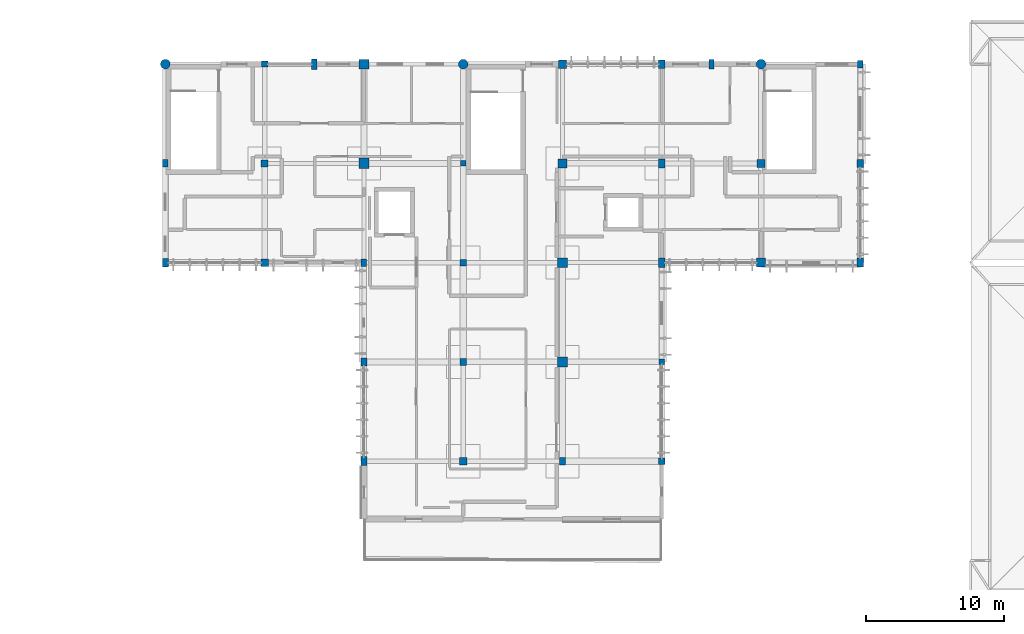
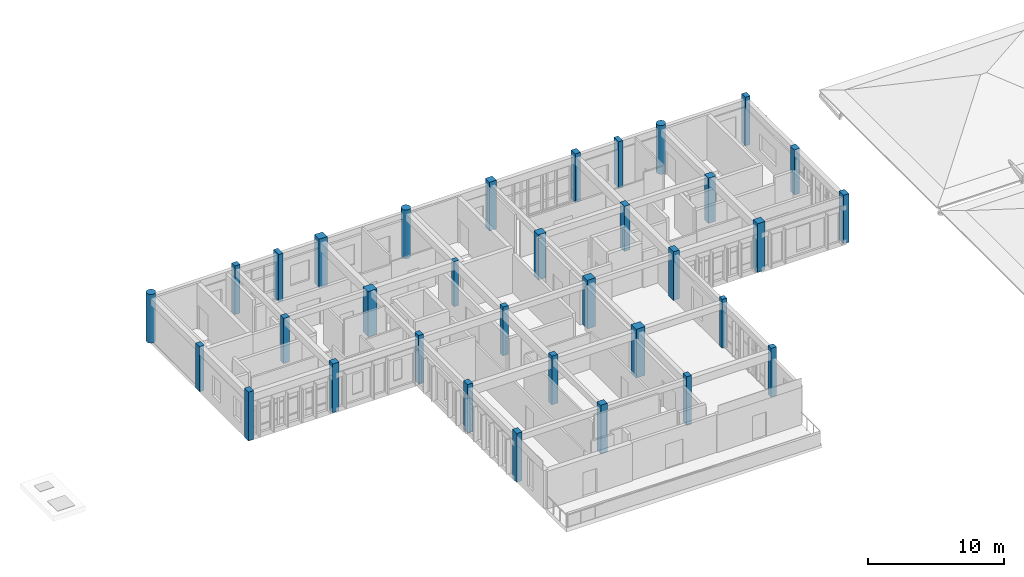
# One storey, part 1 of 19: 34 columns.
"""IFC4 building model written with IfcOpenShell, lengths in metres."""

from ifc_helpers import new_model, si_unit, direction, frame, origin, origin_2d, place, context, subcontext, project, spatial, rectangle, circle, extrude, material, material_profile, profile_set, type_object, element, save


model = new_model("IFC4")

# Units and contexts
model_context = context("Model", 3, precision=1e-05, world=origin(), true_north=direction((0.0, 1.0)))
body_context = subcontext(model_context, "Body", "Model", "MODEL_VIEW")
ifc_project = project(units=[si_unit("LENGTHUNIT", "METRE"), si_unit("AREAUNIT", "SQUARE_METRE"), si_unit("VOLUMEUNIT", "CUBIC_METRE"), si_unit("PLANEANGLEUNIT", "RADIAN"), si_unit("MASSUNIT", "GRAM", prefix="KILO")], contexts=[model_context])

# Site, building, storey
site_placement = place(None, origin())
site = spatial("IfcSite", under=ifc_project, at=site_placement, CompositionType="ELEMENT")
building_placement = place(site_placement, origin())
building = spatial("IfcBuilding", under=site, at=building_placement, Name="Steenspoor Specialist Clinic", CompositionType="ELEMENT")
storey_placement = place(building_placement, frame((0.0, 0.0, 21.60009765625)))
storey = spatial("IfcBuildingStorey", under=building, at=storey_placement, Name="L05", CompositionType="ELEMENT", Elevation=21.60009765625)

# Columns
ifc_material = material(Name="Concrete C40/50", Category="concrete")
ifc_material_profile_1 = material_profile(ifc_material, rectangle(XDim=0.39990234375, YDim=0.39990234375, at=origin_2d()), Name="RC-COL-400X400")
ifc_profile_set_1 = profile_set([ifc_material_profile_1], Name="Concrete C40/50")
column_type_1 = type_object("IfcColumnType", Name="COL-RC-400", PredefinedType="COLUMN", material=ifc_profile_set_1)
column_1_placement = place(storey_placement, frame((81.199951171875, 101.14990234375, 0.0), z_axis=(0.0, 0.0, 1.0), x_axis=(1.0, 0.0, 0.0)))
element("IfcColumn", 1, at=column_1_placement, inside=storey, type_object=column_type_1, Name="Column COL-L05-0336", PredefinedType="COLUMN", context=body_context, shape_type="SweptSolid", body=[
    extrude(rectangle(XDim=0.39990234375, YDim=0.39990234375, at=origin_2d()), origin(), (0.0, 0.0, 1.0), 4.0498046875),
])
column_2_placement = place(storey_placement, frame((95.60009765625, 86.75, 0.0), z_axis=(0.0, 0.0, 1.0), x_axis=(1.0, 0.0, 0.0)))
element("IfcColumn", 2, at=column_2_placement, inside=storey, type_object=column_type_1, Name="Column COL-L05-0398", PredefinedType="COLUMN", context=body_context, shape_type="SweptSolid", body=[
    extrude(rectangle(XDim=0.39990234375, YDim=0.39990234375, at=origin_2d()), origin(), (0.0, 0.0, 1.0), 4.35986328125),
])
ifc_material_profile_2 = material_profile(ifc_material, rectangle(XDim=0.39990234375, YDim=0.550048828125, at=origin_2d()), Name="RC-COL-400X550")
ifc_profile_set_2 = profile_set([ifc_material_profile_2], Name="Concrete C40/50")
column_type_2 = type_object("IfcColumnType", Name="COL-RC-400X550", PredefinedType="COLUMN", material=ifc_profile_set_2)
column_3_placement = place(storey_placement, frame((59.60009765625, 101.14990234375, 0.0), z_axis=(0.0, 0.0, 1.0), x_axis=(1.0, 0.0, 0.0)))
element("IfcColumn", 3, at=column_3_placement, inside=storey, type_object=column_type_2, Name="Column COL-L05-0233", PredefinedType="COLUMN", context=body_context, shape_type="SweptSolid", body=[
    extrude(rectangle(XDim=0.39990234375, YDim=0.550048828125, at=origin_2d()), origin(), (0.0, 0.0, 1.0), 4.0498046875),
])
for number, where, z_axis, x_axis, name in (
    (4, (74.0, 93.949951171875, 0.0), (0.0, 0.0, 1.0), (1.0, 0.0, 0.0), "Column COL-L05-0293"),
    (5, (88.39990234375, 79.550048828125, 0.0), (0.0, 0.0, 1.0), (1.0, 0.0, 0.0), "Column COL-L05-0355"),
    (6, (110.0, 108.35009765625, 0.0), (0.0, 0.0, 1.0), (1.0, 0.0, 0.0), "Column COL-L05-0478"),
):
    element("IfcColumn", number, at=place(storey_placement, frame(where, z_axis=z_axis, x_axis=x_axis)), inside=storey, type_object=column_type_2, Name=name, PredefinedType="COLUMN", context=body_context, shape_type="SweptSolid", body=[
        extrude(rectangle(XDim=0.39990234375, YDim=0.550048828125, at=origin_2d()), origin(), (0.0, 0.0, 1.0), 4.35986328125),
    ])
ifc_material_profile_3 = material_profile(ifc_material, rectangle(XDim=0.449951171875, YDim=0.449951171875, at=origin_2d()), Name="RC-COL-450X450")
ifc_profile_set_3 = profile_set([ifc_material_profile_3], Name="Concrete C40/50")
column_type_3 = type_object("IfcColumnType", Name="COL-RC-450", PredefinedType="COLUMN", material=ifc_profile_set_3)
for number, where, z_axis, x_axis, name in (
    (7, (66.800048828125, 108.35009765625, 0.0), (0.0, 0.0, 1.0), (1.0, 0.0, 0.0), "Column COL-L05-0268"),
    (8, (81.199951171875, 93.949951171875, 0.0), (0.0, 0.0, 1.0), (1.0, 0.0, 0.0), "Column COL-L05-0330"),
    (9, (95.60009765625, 79.550048828125, 0.0), (0.0, 0.0, 1.0), (1.0, 0.0, 0.0), "Column COL-L05-0392"),
):
    element("IfcColumn", number, at=place(storey_placement, frame(where, z_axis=z_axis, x_axis=x_axis)), inside=storey, type_object=column_type_3, Name=name, PredefinedType="COLUMN", context=body_context, shape_type="SweptSolid", body=[
        extrude(rectangle(XDim=0.449951171875, YDim=0.449951171875, at=origin_2d()), origin(), (0.0, 0.0, 1.0), 4.35986328125),
    ])
ifc_material_profile_4 = material_profile(ifc_material, rectangle(XDim=0.449951171875, YDim=0.60009765625, at=origin_2d()), Name="RC-COL-450X600")
ifc_profile_set_4 = profile_set([ifc_material_profile_4], Name="Concrete C40/50")
column_type_4 = type_object("IfcColumnType", Name="COL-RC-450X600", PredefinedType="COLUMN", material=ifc_profile_set_4)
for number, where, z_axis, x_axis, name in (
    (10, (59.60009765625, 93.949951171875, 0.0), (0.0, 0.0, 1.0), (1.0, 0.0, 0.0), "Column COL-L05-0227"),
    (11, (74.0, 86.75, 0.0), (0.0, 0.0, 1.0), (1.0, 0.0, 0.0), "Column COL-L05-0287"),
    (12, (95.60009765625, 108.35009765625, 0.0), (0.0, 0.0, 1.0), (1.0, 0.0, 0.0), "Column COL-L05-0416"),
):
    element("IfcColumn", number, at=place(storey_placement, frame(where, z_axis=z_axis, x_axis=x_axis)), inside=storey, type_object=column_type_4, Name=name, PredefinedType="COLUMN", context=body_context, shape_type="SweptSolid", body=[
        extrude(rectangle(XDim=0.449951171875, YDim=0.60009765625, at=origin_2d()), origin(), (0.0, 0.0, 1.0), 4.35986328125),
    ])
column_4_placement = place(storey_placement, frame((110.0, 101.14990234375, 0.0), z_axis=(0.0, 0.0, 1.0), x_axis=(1.0, 0.0, 0.0)))
element("IfcColumn", 13, at=column_4_placement, inside=storey, type_object=column_type_4, Name="Column COL-L05-0472", PredefinedType="COLUMN", context=body_context, shape_type="SweptSolid", body=[
    extrude(rectangle(XDim=0.449951171875, YDim=0.60009765625, at=origin_2d()), origin(), (0.0, 0.0, 1.0), 4.0498046875),
])
ifc_material_profile_5 = material_profile(ifc_material, rectangle(XDim=0.449951171875, YDim=0.64990234375, at=origin_2d()), Name="RC-COL-450X650")
ifc_profile_set_5 = profile_set([ifc_material_profile_5], Name="Concrete C40/50")
column_type_5 = type_object("IfcColumnType", Name="COL-RC-450X650", PredefinedType="COLUMN", material=ifc_profile_set_5)
column_5_placement = place(storey_placement, frame((74.0, 79.550048828125, 0.0), z_axis=(0.0, 0.0, 1.0), x_axis=(1.0, 0.0, 0.0)))
element("IfcColumn", 14, at=column_5_placement, inside=storey, type_object=column_type_5, Name="Column COL-L05-0281", PredefinedType="COLUMN", context=body_context, shape_type="SweptSolid", body=[
    extrude(rectangle(XDim=0.449951171875, YDim=0.64990234375, at=origin_2d()), origin(), (0.0, 0.0, 1.0), 4.35986328125),
])
column_6_placement = place(storey_placement, frame((95.60009765625, 101.14990234375, 0.0), z_axis=(0.0, 0.0, 1.0), x_axis=(1.0, 0.0, 0.0)))
element("IfcColumn", 15, at=column_6_placement, inside=storey, type_object=column_type_5, Name="Column COL-L05-0410", PredefinedType="COLUMN", context=body_context, shape_type="SweptSolid", body=[
    extrude(rectangle(XDim=0.449951171875, YDim=0.64990234375, at=origin_2d()), origin(), (0.0, 0.0, 1.0), 4.0498046875),
])
column_7_placement = place(storey_placement, frame((110.0, 93.949951171875, 0.0), z_axis=(0.0, 0.0, 1.0), x_axis=(1.0, 0.0, 0.0)))
element("IfcColumn", 16, at=column_7_placement, inside=storey, type_object=column_type_5, Name="Column COL-L05-0466", PredefinedType="COLUMN", context=body_context, shape_type="SweptSolid", body=[
    extrude(rectangle(XDim=0.449951171875, YDim=0.64990234375, at=origin_2d()), origin(), (0.0, 0.0, 1.0), 4.35986328125),
])
ifc_material_profile_6 = material_profile(ifc_material, rectangle(XDim=0.5, YDim=0.5, at=origin_2d()), Name="RC-COL-500X500")
ifc_profile_set_6 = profile_set([ifc_material_profile_6], Name="Concrete C40/50")
column_type_6 = type_object("IfcColumnType", Name="COL-RC-500", PredefinedType="COLUMN", material=ifc_profile_set_6)
column_8_placement = place(storey_placement, frame((66.800048828125, 101.14990234375, 0.0), z_axis=(0.0, 0.0, 1.0), x_axis=(1.0, 0.0, 0.0)))
element("IfcColumn", 17, at=column_8_placement, inside=storey, type_object=column_type_6, Name="Column COL-L05-0262", PredefinedType="COLUMN", context=body_context, shape_type="SweptSolid", body=[
    extrude(rectangle(XDim=0.5, YDim=0.5, at=origin_2d()), origin(), (0.0, 0.0, 1.0), 4.0498046875),
])
column_9_placement = place(storey_placement, frame((81.199951171875, 86.75, 0.0), z_axis=(0.0, 0.0, 1.0), x_axis=(1.0, 0.0, 0.0)))
element("IfcColumn", 18, at=column_9_placement, inside=storey, type_object=column_type_6, Name="Column COL-L05-0324", PredefinedType="COLUMN", context=body_context, shape_type="SweptSolid", body=[
    extrude(rectangle(XDim=0.5, YDim=0.5, at=origin_2d()), origin(), (0.0, 0.0, 1.0), 4.35986328125),
])
ifc_material_profile_7 = material_profile(ifc_material, rectangle(XDim=0.5, YDim=0.699951171875, at=origin_2d()), Name="RC-COL-500X700")
ifc_profile_set_7 = profile_set([ifc_material_profile_7], Name="Concrete C40/50")
column_type_7 = type_object("IfcColumnType", Name="COL-RC-500X700", PredefinedType="COLUMN", material=ifc_profile_set_7)
column_10_placement = place(storey_placement, frame((95.60009765625, 93.949951171875, 0.0), z_axis=(0.0, 0.0, 1.0), x_axis=(1.0, 0.0, 0.0)))
element("IfcColumn", 19, at=column_10_placement, inside=storey, type_object=column_type_7, Name="Column COL-L05-0404", PredefinedType="COLUMN", context=body_context, shape_type="SweptSolid", body=[
    extrude(rectangle(XDim=0.5, YDim=0.699951171875, at=origin_2d()), origin(), (0.0, 0.0, 1.0), 4.35986328125),
])
ifc_material_profile_8 = material_profile(ifc_material, rectangle(XDim=0.550048828125, YDim=0.550048828125, at=origin_2d()), Name="RC-COL-550X550")
ifc_profile_set_8 = profile_set([ifc_material_profile_8], Name="Concrete C40/50")
column_type_8 = type_object("IfcColumnType", Name="COL-RC-550", PredefinedType="COLUMN", material=ifc_profile_set_8)
for number, where, z_axis, x_axis, name in (
    (20, (66.800048828125, 93.949951171875, 0.0), (0.0, 0.0, 1.0), (1.0, 0.0, 0.0), "Column COL-L05-0256"),
    (21, (81.199951171875, 79.550048828125, 0.0), (0.0, 0.0, 1.0), (1.0, 0.0, 0.0), "Column COL-L05-0318"),
):
    element("IfcColumn", number, at=place(storey_placement, frame(where, z_axis=z_axis, x_axis=x_axis)), inside=storey, type_object=column_type_8, Name=name, PredefinedType="COLUMN", context=body_context, shape_type="SweptSolid", body=[
        extrude(rectangle(XDim=0.550048828125, YDim=0.550048828125, at=origin_2d()), origin(), (0.0, 0.0, 1.0), 4.35986328125),
    ])
ifc_material_profile_9 = material_profile(ifc_material, rectangle(XDim=0.60009765625, YDim=0.60009765625, at=origin_2d()), Name="RC-COL-600X600")
ifc_profile_set_9 = profile_set([ifc_material_profile_9], Name="Concrete C40/50")
column_type_9 = type_object("IfcColumnType", Name="COL-RC-600", PredefinedType="COLUMN", material=ifc_profile_set_9)
column_11_placement = place(storey_placement, frame((88.39990234375, 108.35009765625, 0.0), z_axis=(0.0, 0.0, 1.0), x_axis=(1.0, 0.0, 0.0)))
element("IfcColumn", 22, at=column_11_placement, inside=storey, type_object=column_type_9, Name="Column COL-L05-0379", PredefinedType="COLUMN", context=body_context, shape_type="SweptSolid", body=[
    extrude(rectangle(XDim=0.60009765625, YDim=0.60009765625, at=origin_2d()), origin(), (0.0, 0.0, 1.0), 4.35986328125),
])
column_12_placement = place(storey_placement, frame((102.800048828125, 101.14990234375, 0.0), z_axis=(0.0, 0.0, 1.0), x_axis=(1.0, 0.0, 0.0)))
element("IfcColumn", 23, at=column_12_placement, inside=storey, type_object=column_type_9, Name="Column COL-L05-0439", PredefinedType="COLUMN", context=body_context, shape_type="SweptSolid", body=[
    extrude(rectangle(XDim=0.60009765625, YDim=0.60009765625, at=origin_2d()), origin(), (0.0, 0.0, 1.0), 4.0498046875),
])
ifc_material_profile_10 = material_profile(ifc_material, rectangle(XDim=0.64990234375, YDim=0.64990234375, at=origin_2d()), Name="RC-COL-650X650")
ifc_profile_set_10 = profile_set([ifc_material_profile_10], Name="Concrete C40/50")
column_type_10 = type_object("IfcColumnType", Name="COL-RC-650", PredefinedType="COLUMN", material=ifc_profile_set_10)
column_13_placement = place(storey_placement, frame((88.39990234375, 101.14990234375, 0.0), z_axis=(0.0, 0.0, 1.0), x_axis=(1.0, 0.0, 0.0)))
element("IfcColumn", 24, at=column_13_placement, inside=storey, type_object=column_type_10, Name="Column COL-L05-0373", PredefinedType="COLUMN", context=body_context, shape_type="SweptSolid", body=[
    extrude(rectangle(XDim=0.64990234375, YDim=0.64990234375, at=origin_2d()), origin(), (0.0, 0.0, 1.0), 4.0498046875),
])
column_14_placement = place(storey_placement, frame((102.800048828125, 93.949951171875, 0.0), z_axis=(0.0, 0.0, 1.0), x_axis=(1.0, 0.0, 0.0)))
element("IfcColumn", 25, at=column_14_placement, inside=storey, type_object=column_type_10, Name="Column COL-L05-0433", PredefinedType="COLUMN", context=body_context, shape_type="SweptSolid", body=[
    extrude(rectangle(XDim=0.64990234375, YDim=0.64990234375, at=origin_2d()), origin(), (0.0, 0.0, 1.0), 4.35986328125),
])
ifc_material_profile_11 = material_profile(ifc_material, rectangle(XDim=0.699951171875, YDim=0.699951171875, at=origin_2d()), Name="RC-COL-700X700")
ifc_profile_set_11 = profile_set([ifc_material_profile_11], Name="Concrete C40/50")
column_type_11 = type_object("IfcColumnType", Name="COL-RC-700", PredefinedType="COLUMN", material=ifc_profile_set_11)
for number, where, z_axis, x_axis, name in (
    (26, (74.0, 108.35009765625, 0.0), (0.0, 0.0, 1.0), (1.0, 0.0, 0.0), "Column COL-L05-0305"),
    (27, (88.39990234375, 93.949951171875, 0.0), (0.0, 0.0, 1.0), (1.0, 0.0, 0.0), "Column COL-L05-0367"),
):
    element("IfcColumn", number, at=place(storey_placement, frame(where, z_axis=z_axis, x_axis=x_axis)), inside=storey, type_object=column_type_11, Name=name, PredefinedType="COLUMN", context=body_context, shape_type="SweptSolid", body=[
        extrude(rectangle(XDim=0.699951171875, YDim=0.699951171875, at=origin_2d()), origin(), (0.0, 0.0, 1.0), 4.35986328125),
    ])
ifc_material_profile_12 = material_profile(ifc_material, rectangle(XDim=0.75, YDim=0.75, at=origin_2d()), Name="RC-COL-750X750")
ifc_profile_set_12 = profile_set([ifc_material_profile_12], Name="Concrete C40/50")
column_type_12 = type_object("IfcColumnType", Name="COL-RC-750", PredefinedType="COLUMN", material=ifc_profile_set_12)
column_15_placement = place(storey_placement, frame((74.0, 101.14990234375, 0.0), z_axis=(0.0, 0.0, 1.0), x_axis=(1.0, 0.0, 0.0)))
element("IfcColumn", 28, at=column_15_placement, inside=storey, type_object=column_type_12, Name="Column COL-L05-0299", PredefinedType="COLUMN", context=body_context, shape_type="SweptSolid", body=[
    extrude(rectangle(XDim=0.75, YDim=0.75, at=origin_2d()), origin(), (0.0, 0.0, 1.0), 4.0498046875),
])
column_16_placement = place(storey_placement, frame((88.39990234375, 86.75, 0.0), z_axis=(0.0, 0.0, 1.0), x_axis=(1.0, 0.0, 0.0)))
element("IfcColumn", 29, at=column_16_placement, inside=storey, type_object=column_type_12, Name="Column COL-L05-0361", PredefinedType="COLUMN", context=body_context, shape_type="SweptSolid", body=[
    extrude(rectangle(XDim=0.75, YDim=0.75, at=origin_2d()), origin(), (0.0, 0.0, 1.0), 4.35986328125),
])
ifc_material_profile_13 = material_profile(ifc_material, circle(Radius=0.35009765625, at=origin_2d()), Name="RC-COL-D700")
ifc_profile_set_13 = profile_set([ifc_material_profile_13], Name="Concrete C40/50")
column_type_13 = type_object("IfcColumnType", Name="COL-RC-D700", PredefinedType="COLUMN", material=ifc_profile_set_13)
for number, where, z_axis, x_axis, name in (
    (30, (59.60009765625, 108.35009765625, 0.0), (0.0, 0.0, 1.0), (1.0, 0.0, 0.0), "Column COL-L05-0239"),
    (31, (81.199951171875, 108.35009765625, 0.0), (0.0, 0.0, 1.0), (1.0, 0.0, 0.0), "Column COL-L05-0342"),
    (32, (102.800048828125, 108.35009765625, 0.0), (0.0, 0.0, 1.0), (1.0, 0.0, 0.0), "Column COL-L05-0445"),
):
    element("IfcColumn", number, at=place(storey_placement, frame(where, z_axis=z_axis, x_axis=x_axis)), inside=storey, type_object=column_type_13, Name=name, PredefinedType="COLUMN", context=body_context, shape_type="SweptSolid", body=[
        extrude(circle(Radius=0.35009765625, at=origin_2d()), origin(), (0.0, 0.0, 1.0), 4.35986328125),
    ])
ifc_material_profile_14 = material_profile(ifc_material, rectangle(XDim=0.340087890625, YDim=0.679931640625, at=origin_2d()), Name="RC-PIL-340X680")
ifc_profile_set_14 = profile_set([ifc_material_profile_14], Name="Concrete C40/50")
column_type_14 = type_object("IfcColumnType", Name="PIL-RC-340X680", PredefinedType="PILASTER", material=ifc_profile_set_14)
column_17_placement = place(storey_placement, frame((99.199951171875, 108.35009765625, 0.0), z_axis=(0.0, 0.0, 1.0), x_axis=(1.0, 0.0, 0.0)))
element("IfcColumn", 33, at=column_17_placement, inside=storey, type_object=column_type_14, Name="Brick Pilaster PIL-L05-028", PredefinedType="PILASTER", context=body_context, shape_type="SweptSolid", body=[
    extrude(rectangle(XDim=0.340087890625, YDim=0.679931640625, at=origin_2d()), origin(), (0.0, 0.0, 1.0), 4.199951171875),
])
ifc_material_profile_15 = material_profile(ifc_material, rectangle(XDim=0.3798828125, YDim=0.760009765625, at=origin_2d()), Name="RC-PIL-380X760")
ifc_profile_set_15 = profile_set([ifc_material_profile_15], Name="Concrete C40/50")
column_type_15 = type_object("IfcColumnType", Name="PIL-RC-380X760", PredefinedType="PILASTER", material=ifc_profile_set_15)
column_18_placement = place(storey_placement, frame((70.39990234375, 108.35009765625, 0.0), z_axis=(0.0, 0.0, 1.0), x_axis=(1.0, 0.0, 0.0)))
element("IfcColumn", 34, at=column_18_placement, inside=storey, type_object=column_type_15, Name="Brick Pilaster PIL-L05-022", PredefinedType="PILASTER", context=body_context, shape_type="SweptSolid", body=[
    extrude(rectangle(XDim=0.3798828125, YDim=0.760009765625, at=origin_2d()), origin(), (0.0, 0.0, 1.0), 4.199951171875),
])

save(model, "model.ifc")
